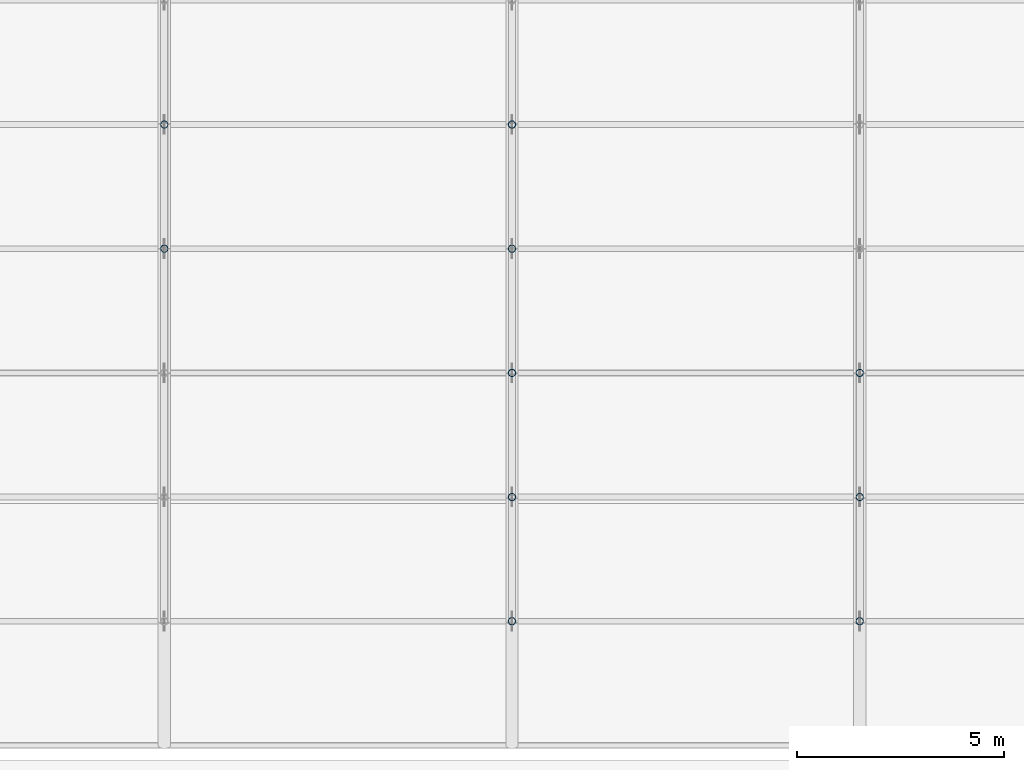
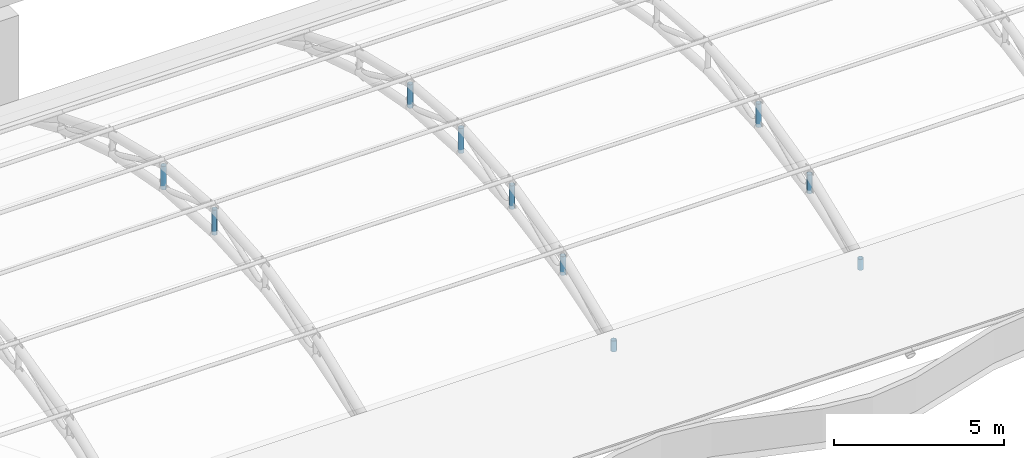
# One storey, part 89 of 163: 10 members.
"""IFC4 building model written with IfcOpenShell, lengths in metres."""

from ifc_helpers import new_model, si_unit, direction, frame, origin, origin_2d, place, context, subcontext, project, spatial, hollow_circle, extrude, material, material_profile, profile_set, type_object, element, save


model = new_model("IFC4")

# Units and contexts
model_context = context("Model", 3, precision=1e-05, world=origin(), true_north=direction((0.0, 1.0)))
body_context = subcontext(model_context, "Body", "Model", "MODEL_VIEW")
ifc_project = project(units=[si_unit("LENGTHUNIT", "METRE"), si_unit("AREAUNIT", "SQUARE_METRE"), si_unit("VOLUMEUNIT", "CUBIC_METRE"), si_unit("PLANEANGLEUNIT", "RADIAN"), si_unit("MASSUNIT", "GRAM", prefix="KILO")], contexts=[model_context])

# Site, building, storey
site_placement = place(None, origin())
site = spatial("IfcSite", under=ifc_project, at=site_placement, CompositionType="ELEMENT")
building_placement = place(site_placement, origin())
building = spatial("IfcBuilding", under=site, at=building_placement, Name="Rain Tree Exposition and Congress Centre", CompositionType="ELEMENT")
storey_placement = place(building_placement, frame((0.0, 0.0, 10.5)))
storey = spatial("IfcBuildingStorey", under=building, at=storey_placement, Name="L02", CompositionType="ELEMENT", Elevation=10.5)

# Members
ifc_material = material(Name="Steel S355J2H", Category="steel")
ifc_material_profile = material_profile(ifc_material, hollow_circle(Radius=0.090087890625, WallThickness=0.008056640625, at=origin_2d()), Name="CHS 180x8")
ifc_profile_set = profile_set([ifc_material_profile], Name="Steel S355J2H")
member_type = type_object("IfcMemberType", Name="Steel post member CHS 180x8", PredefinedType="POST", material=ifc_profile_set)
member_1_placement = place(storey_placement, frame((210.0, 87.60009765625, 3.1298828125), z_axis=(0.0, 0.0, 1.0), x_axis=(1.0, 0.0, 0.0)))
element("IfcMember", 1, at=member_1_placement, inside=storey, type_object=member_type, Name="Roof truss 26 post 4", PredefinedType="POST", context=body_context, shape_type="SweptSolid", body=[
    extrude(hollow_circle(Radius=0.090087890625, WallThickness=0.008056640625, at=origin_2d()), origin(), (0.0, 0.0, 1.0), 0.900146484375),
])
member_2_placement = place(storey_placement, frame((210.0, 90.60009765625, 2.9423828125), z_axis=(0.0, 0.0, 1.0), x_axis=(1.0, 0.0, 0.0)))
element("IfcMember", 2, at=member_2_placement, inside=storey, type_object=member_type, Name="Roof truss 26 post 5", PredefinedType="POST", context=body_context, shape_type="SweptSolid", body=[
    extrude(hollow_circle(Radius=0.090087890625, WallThickness=0.008056640625, at=origin_2d()), origin(), (0.0, 0.0, 1.0), 0.843994140625),
])
member_3_placement = place(storey_placement, frame((218.39990234375, 78.60009765625, 1.4423828125), z_axis=(0.0, 0.0, 1.0), x_axis=(1.0, 0.0, 0.0)))
element("IfcMember", 3, at=member_3_placement, inside=storey, type_object=member_type, Name="Roof truss 27 post 1", PredefinedType="POST", context=body_context, shape_type="SweptSolid", body=[
    extrude(hollow_circle(Radius=0.090087890625, WallThickness=0.008056640625, at=origin_2d()), origin(), (0.0, 0.0, 1.0), 0.393798828125),
])
member_4_placement = place(storey_placement, frame((218.39990234375, 81.60009765625, 2.3798828125), z_axis=(0.0, 0.0, 1.0), x_axis=(1.0, 0.0, 0.0)))
element("IfcMember", 4, at=member_4_placement, inside=storey, type_object=member_type, Name="Roof truss 27 post 2", PredefinedType="POST", context=body_context, shape_type="SweptSolid", body=[
    extrude(hollow_circle(Radius=0.090087890625, WallThickness=0.008056640625, at=origin_2d()), origin(), (0.0, 0.0, 1.0), 0.675048828125),
])
member_5_placement = place(storey_placement, frame((218.39990234375, 84.60009765625, 2.9423828125), z_axis=(0.0, 0.0, 1.0), x_axis=(1.0, 0.0, 0.0)))
element("IfcMember", 5, at=member_5_placement, inside=storey, type_object=member_type, Name="Roof truss 27 post 3", PredefinedType="POST", context=body_context, shape_type="SweptSolid", body=[
    extrude(hollow_circle(Radius=0.090087890625, WallThickness=0.008056640625, at=origin_2d()), origin(), (0.0, 0.0, 1.0), 0.843994140625),
])
member_6_placement = place(storey_placement, frame((218.39990234375, 87.60009765625, 3.1298828125), z_axis=(0.0, 0.0, 1.0), x_axis=(1.0, 0.0, 0.0)))
element("IfcMember", 6, at=member_6_placement, inside=storey, type_object=member_type, Name="Roof truss 27 post 4", PredefinedType="POST", context=body_context, shape_type="SweptSolid", body=[
    extrude(hollow_circle(Radius=0.090087890625, WallThickness=0.008056640625, at=origin_2d()), origin(), (0.0, 0.0, 1.0), 0.900146484375),
])
member_7_placement = place(storey_placement, frame((218.39990234375, 90.60009765625, 2.9423828125), z_axis=(0.0, 0.0, 1.0), x_axis=(1.0, 0.0, 0.0)))
element("IfcMember", 7, at=member_7_placement, inside=storey, type_object=member_type, Name="Roof truss 27 post 5", PredefinedType="POST", context=body_context, shape_type="SweptSolid", body=[
    extrude(hollow_circle(Radius=0.090087890625, WallThickness=0.008056640625, at=origin_2d()), origin(), (0.0, 0.0, 1.0), 0.843994140625),
])
member_8_placement = place(storey_placement, frame((226.800048828125, 78.60009765625, 1.4423828125), z_axis=(0.0, 0.0, 1.0), x_axis=(1.0, 0.0, 0.0)))
element("IfcMember", 8, at=member_8_placement, inside=storey, type_object=member_type, Name="Roof truss 28 post 1", PredefinedType="POST", context=body_context, shape_type="SweptSolid", body=[
    extrude(hollow_circle(Radius=0.090087890625, WallThickness=0.008056640625, at=origin_2d()), origin(), (0.0, 0.0, 1.0), 0.393798828125),
])
member_9_placement = place(storey_placement, frame((226.800048828125, 81.60009765625, 2.3798828125), z_axis=(0.0, 0.0, 1.0), x_axis=(1.0, 0.0, 0.0)))
element("IfcMember", 9, at=member_9_placement, inside=storey, type_object=member_type, Name="Roof truss 28 post 2", PredefinedType="POST", context=body_context, shape_type="SweptSolid", body=[
    extrude(hollow_circle(Radius=0.090087890625, WallThickness=0.008056640625, at=origin_2d()), origin(), (0.0, 0.0, 1.0), 0.675048828125),
])
member_10_placement = place(storey_placement, frame((226.800048828125, 84.60009765625, 2.9423828125), z_axis=(0.0, 0.0, 1.0), x_axis=(1.0, 0.0, 0.0)))
element("IfcMember", 10, at=member_10_placement, inside=storey, type_object=member_type, Name="Roof truss 28 post 3", PredefinedType="POST", context=body_context, shape_type="SweptSolid", body=[
    extrude(hollow_circle(Radius=0.090087890625, WallThickness=0.008056640625, at=origin_2d()), origin(), (0.0, 0.0, 1.0), 0.843994140625),
])

save(model, "model.ifc")
